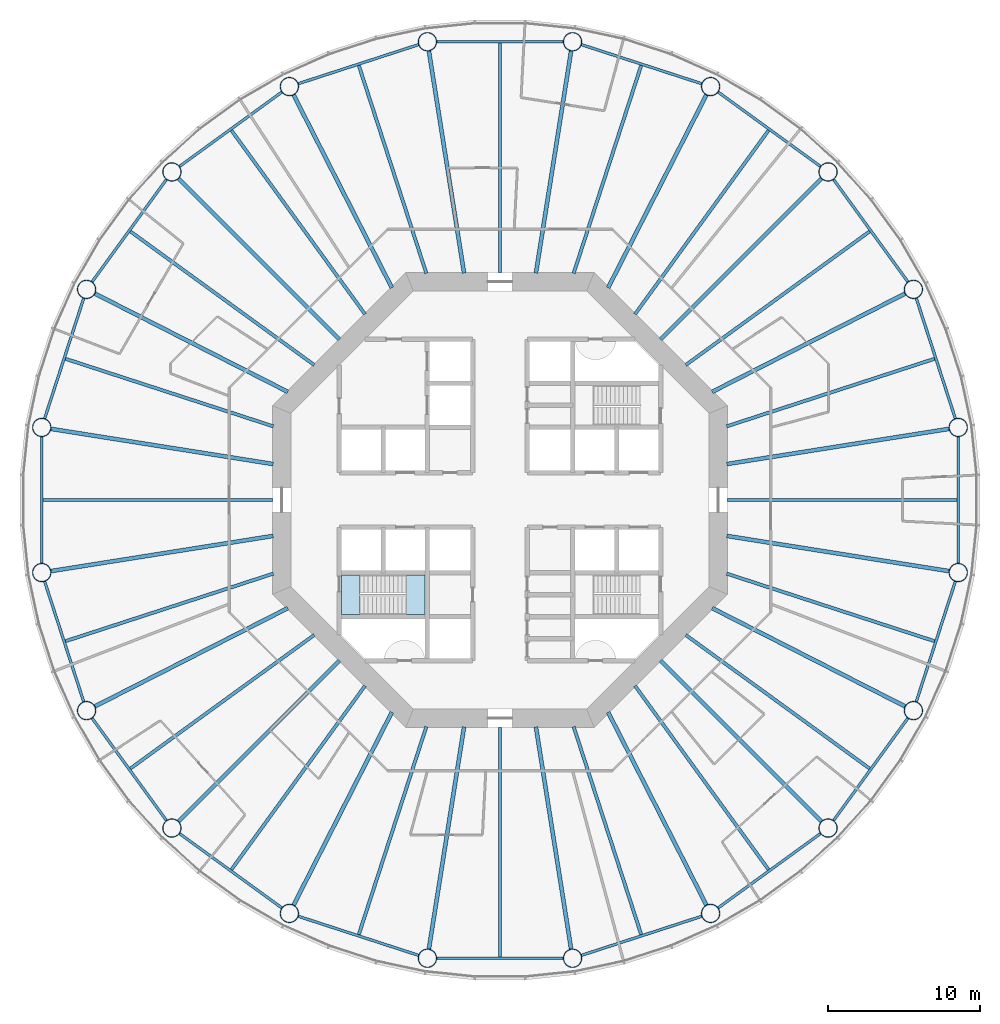
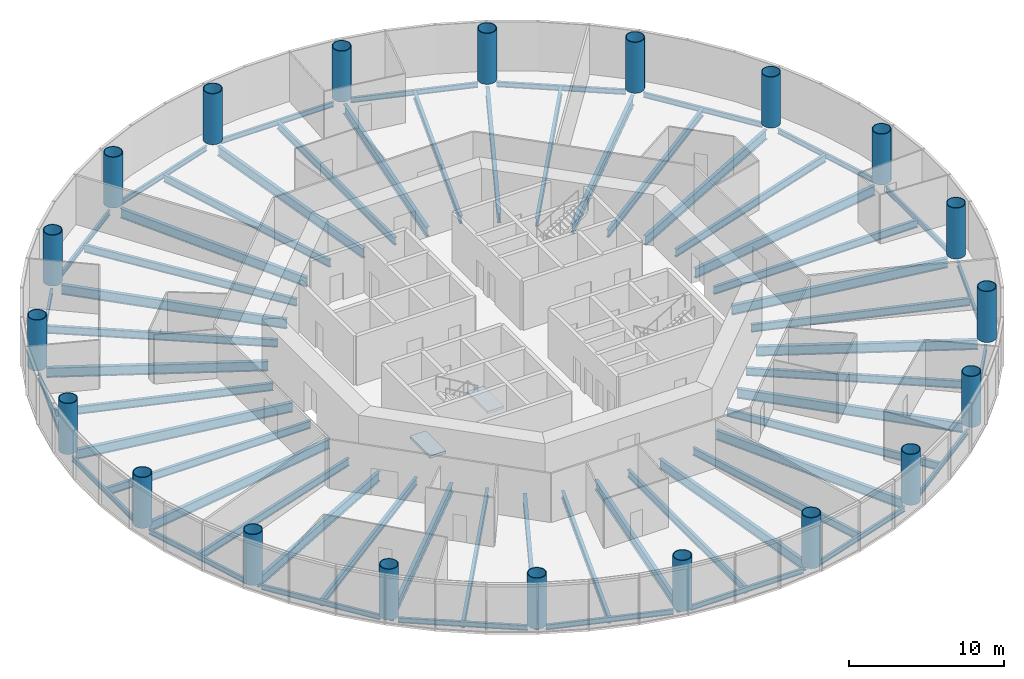
# One storey, part 1 of 13: 60 beams, 20 columns, 2 slabs, 1 element without a shape of its own.
"""IFC4 building model written with IfcOpenShell, lengths in metres."""

import ifcopenshell
import ifcopenshell.guid

model = None  # the IFC model being written
_history = None  # IfcOwnerHistory: only IFC2X3 demands one
_inside = {}  # id of a spatial element -> (the spatial element, [elements in it])
_under = {}  # id of a project, library or spatial element -> (it, [spatial elements below it])
_declared = {}  # id of a project -> (the project, [libraries it declares])
_typed = {}  # id of a type object -> (the type object, [elements of that type])
_made_of = {}  # id of a material, layer set ... -> (it, [elements and type objects made of it])


def new_model(schema):
    """Start an empty IFC model of exactly this schema.

    Asked for "IFC4X3", IfcOpenShell would pick the latest addendum, in which some entities
    have other attributes; the version numbers below select the first issue.
    IFC2X3 requires an IfcOwnerHistory on every rooted entity: one is made here for all.
    """
    global model, _history
    if schema == "IFC4X3":
        model = ifcopenshell.file(schema_version=(4, 3, 0, 0))
    else:
        model = ifcopenshell.file(schema=schema)
    _inside.clear()
    _under.clear()
    _declared.clear()
    _typed.clear()
    _made_of.clear()
    _history = None
    if model.schema == "IFC2X3":
        org = make("IfcOrganization", Name="unknown")
        user = make(
            "IfcPersonAndOrganization",
            ThePerson=make("IfcPerson", FamilyName="unknown"),
            TheOrganization=org,
        )
        app = make(
            "IfcApplication",
            ApplicationDeveloper=org,
            Version="unknown",
            ApplicationFullName="unknown",
            ApplicationIdentifier="unknown",
        )
        _history = make(
            "IfcOwnerHistory",
            OwningUser=user,
            OwningApplication=app,
            ChangeAction="ADDED",
            CreationDate=0,
        )
    return model


def make(cls, **values):
    """One entity of the class cls with the attributes given. An attribute that is None is left unset."""
    return model.create_entity(
        cls, **{name: value for name, value in values.items() if value is not None}
    )


def rooted(cls, **values):
    """An entity with a GlobalId (a new one), such as an element, a storey or a relation."""
    return make(cls, GlobalId=ifcopenshell.guid.new(), OwnerHistory=_history, **values)


def si_unit(unit_type, name, prefix=None):
    """IfcSIUnit, for example si_unit("LENGTHUNIT", "METRE", prefix="MILLI")."""
    return make("IfcSIUnit", UnitType=unit_type, Prefix=prefix, Name=name)


def assignment(units):
    """IfcUnitAssignment: the units of a project."""
    return None if units is None else make("IfcUnitAssignment", Units=units)


def point(xyz):
    """IfcCartesianPoint."""
    return None if xyz is None else make("IfcCartesianPoint", Coordinates=xyz)


def direction(xyz):
    """IfcDirection."""
    return None if xyz is None else make("IfcDirection", DirectionRatios=xyz)


def frame(location, z_axis=None, x_axis=None):
    """IfcAxis2Placement3D, a coordinate frame: its origin and axes. An axis left out is left unset."""
    return make(
        "IfcAxis2Placement3D",
        Location=point(location),
        Axis=direction(z_axis),
        RefDirection=direction(x_axis),
    )


def frame_2d(location, x_axis=None):
    """IfcAxis2Placement2D, a coordinate frame in the plane: its origin and x axis."""
    return make(
        "IfcAxis2Placement2D", Location=point(location), RefDirection=direction(x_axis)
    )


def origin():
    """The frame at (0, 0, 0) with its axes left unset."""
    return frame((0.0, 0.0, 0.0))


def origin_2d():
    """The frame at (0, 0) in the plane with its x axis left unset."""
    return frame_2d((0.0, 0.0))


def place(relative_to, where):
    """IfcLocalPlacement: puts the frame where relative to a parent placement (None: the world)."""
    return make(
        "IfcLocalPlacement", PlacementRelTo=relative_to, RelativePlacement=where
    )


def context(
    kind, dimensions, precision=None, world=None, true_north=None, identifier=None
):
    """IfcGeometricRepresentationContext, for example the 3D "Model" context."""
    return make(
        "IfcGeometricRepresentationContext",
        ContextIdentifier=identifier,
        ContextType=kind,
        CoordinateSpaceDimension=dimensions,
        Precision=precision,
        WorldCoordinateSystem=world,
        TrueNorth=true_north,
    )


def subcontext(parent, identifier, kind, view, scale=None):
    """IfcGeometricRepresentationSubContext, for example "Body" below "Model"."""
    return make(
        "IfcGeometricRepresentationSubContext",
        ContextIdentifier=identifier,
        ContextType=kind,
        ParentContext=parent,
        TargetScale=scale,
        TargetView=view,
    )


def project(units=None, contexts=None):
    """IfcProject with its units and contexts."""
    return rooted(
        "IfcProject",
        Name="project",
        RepresentationContexts=contexts,
        UnitsInContext=assignment(units),
    )


def spatial(cls, under=None, at=None, **own):
    """A site, building, storey or space (cls), placed at a placement, below another one or the project."""
    s = rooted(cls, ObjectPlacement=at, **own)
    if under is not None:
        _under.setdefault(under.id(), (under, []))[1].append(s)
    return s


def polyline(points):
    """IfcPolyline through the points."""
    return make("IfcPolyline", Points=[point(p) for p in points])


def profile(cls, at=None, kind="AREA", **sizes):
    """A parametric profile (cls). Its sizes go by their IFC names, for example OverallWidth=200.0."""
    return make(cls, ProfileType=kind, Position=at, **sizes)


def circle(**sizes):
    """IfcCircleProfileDef."""
    return profile("IfcCircleProfileDef", **sizes)


def hollow_circle(**sizes):
    """IfcCircleHollowProfileDef."""
    return profile("IfcCircleHollowProfileDef", **sizes)


def i_section(**sizes):
    """IfcIShapeProfileDef."""
    return profile("IfcIShapeProfileDef", **sizes)


def outline(outer, holes=None, kind="AREA"):
    """IfcArbitraryClosedProfileDef: a profile drawn as a closed curve; with holes, ...WithVoids."""
    if holes is None:
        return make("IfcArbitraryClosedProfileDef", ProfileType=kind, OuterCurve=outer)
    return make(
        "IfcArbitraryProfileDefWithVoids",
        ProfileType=kind,
        OuterCurve=outer,
        InnerCurves=holes,
    )


def extrude(swept, where, along, depth):
    """IfcExtrudedAreaSolid: the profile swept, set in the frame where, extruded along a direction by depth."""
    return make(
        "IfcExtrudedAreaSolid",
        SweptArea=swept,
        Position=where,
        ExtrudedDirection=direction(along),
        Depth=depth,
    )


def shape(context_of_items, identifier, shape_type, items):
    """IfcShapeRepresentation: the items that make up one representation, for example the "Body"."""
    return make(
        "IfcShapeRepresentation",
        ContextOfItems=context_of_items,
        RepresentationIdentifier=identifier,
        RepresentationType=shape_type,
        Items=items,
    )


def material(Name=None, Category=None):
    """IfcMaterial."""
    return make("IfcMaterial", Name=Name, Category=Category)


def layer(
    of_material, thickness, ventilated=None, Name=None, Category=None, Priority=None
):
    """IfcMaterialLayer: one layer of a wall or slab, of a material (None: an air gap)."""
    return make(
        "IfcMaterialLayer",
        Material=of_material,
        LayerThickness=thickness,
        IsVentilated=ventilated,
        Name=Name,
        Category=Category,
        Priority=Priority,
    )


def layer_set(layers, Name=None):
    """IfcMaterialLayerSet."""
    return make("IfcMaterialLayerSet", MaterialLayers=layers, LayerSetName=Name)


def material_profile(
    of_material, cross_section, Name=None, Category=None, Priority=None
):
    """IfcMaterialProfile: a cross section and its material."""
    return make(
        "IfcMaterialProfile",
        Name=Name,
        Material=of_material,
        Profile=cross_section,
        Priority=Priority,
        Category=Category,
    )


def profile_set(profiles, Name=None, composite=None):
    """IfcMaterialProfileSet."""
    return make(
        "IfcMaterialProfileSet",
        Name=Name,
        MaterialProfiles=profiles,
        CompositeProfile=composite,
    )


def made_of(thing, what):
    """Note that an element or type object is made of a material, layer set ...; save() writes the relation."""
    if what is not None:
        _made_of.setdefault(what.id(), (what, []))[1].append(thing)
    return thing


def type_object(cls, material=None, **own):
    """A type object (cls), such as IfcWallType, which elements share."""
    return made_of(rooted(cls, **own), material)


def element(
    cls,
    number,
    at=None,
    inside=None,
    cuts=None,
    type_object=None,
    material=None,
    context=None,
    identifier="Body",
    shape_type=None,
    held_by="IfcProductDefinitionShape",
    body=None,
    shapes=None,
    **own,
):
    """One element of the class cls, such as IfcWall. Its Tag is "e" and its number.

    at: its placement. inside: the storey or other place that contains it. cuts: it is an
    opening in that element (IfcRelVoidsElement). A single representation is given by context,
    identifier, shape_type and body (its items); several are given by shapes. held_by: the class
    of the entity that holds the representations. save() writes the other relations.
    """
    e = rooted(cls, Tag="e%d" % number, ObjectPlacement=at, **own)
    if body is not None:
        shapes = [shape(context, identifier, shape_type, body)]
    if shapes is not None:
        e.Representation = make(held_by, Representations=shapes)
    if inside is not None:
        _inside.setdefault(inside.id(), (inside, []))[1].append(e)
    if cuts is not None:
        rooted(
            "IfcRelVoidsElement", RelatingBuildingElement=cuts, RelatedOpeningElement=e
        )
    if type_object is not None:
        _typed.setdefault(type_object.id(), (type_object, []))[1].append(e)
    return made_of(e, material)


def aggregate(whole, parts):
    """IfcRelAggregates: a whole, such as a stair, and the parts it consists of."""
    return rooted("IfcRelAggregates", RelatingObject=whole, RelatedObjects=parts)


def save(model, path):
    """Write the relations noted so far, then the file.

    IfcRelAggregates (storeys below a building ...), IfcRelContainedInSpatialStructure (elements
    in a storey), IfcRelDefinesByType, IfcRelAssociatesMaterial and IfcRelDeclares: one each for
    every whole, place, type object, material and project.
    """
    for whole, parts in _under.values():
        aggregate(whole, parts)
    for where, things in _inside.values():
        rooted(
            "IfcRelContainedInSpatialStructure",
            RelatedElements=things,
            RelatingStructure=where,
        )
    for kind, things in _typed.values():
        rooted("IfcRelDefinesByType", RelatedObjects=things, RelatingType=kind)
    for what, things in _made_of.values():
        rooted("IfcRelAssociatesMaterial", RelatedObjects=things, RelatingMaterial=what)
    for by, libraries in _declared.values():
        rooted("IfcRelDeclares", RelatingContext=by, RelatedDefinitions=libraries)
    model.write(path)


model = new_model("IFC4")

# Units and contexts
model_context = context("Model", 3, precision=1e-05, world=origin(), true_north=direction((0.0, 1.0)))
body_context = subcontext(model_context, "Body", "Model", "MODEL_VIEW")
ifc_project = project(units=[si_unit("LENGTHUNIT", "METRE"), si_unit("AREAUNIT", "SQUARE_METRE"), si_unit("VOLUMEUNIT", "CUBIC_METRE"), si_unit("PLANEANGLEUNIT", "RADIAN"), si_unit("MASSUNIT", "GRAM", prefix="KILO")], contexts=[model_context])

# Site, building, storey
site_placement = place(None, origin())
site = spatial("IfcSite", under=ifc_project, at=site_placement, CompositionType="ELEMENT")
building_placement = place(site_placement, origin())
building = spatial("IfcBuilding", under=site, at=building_placement, Name="Entoto Ring Tower", CompositionType="ELEMENT")
storey_placement = place(building_placement, frame((0.0, 0.0, 120.0)))
storey = spatial("IfcBuildingStorey", under=building, at=storey_placement, Name="L27", CompositionType="ELEMENT", Elevation=120.0)

# Columns
ifc_material_1 = material(Name="Steel S355", Category="steel")
ifc_material_profile_1 = material_profile(ifc_material_1, hollow_circle(Radius=0.625, WallThickness=0.054931640625, at=origin_2d()), Name="CHS 1250 x 55")
ifc_material_2 = material(Name="Concrete C60/75", Category="concrete")
ifc_material_profile_2 = material_profile(ifc_material_2, circle(Radius=0.570068359375, at=origin_2d()), Name="Concrete C60/75 infill")
ifc_profile_set_1 = profile_set([ifc_material_profile_1, ifc_material_profile_2], Name="Steel S355")
column_type = type_object("IfcColumnType", Name="Ring column 1250 x 55 concrete-filled tube", PredefinedType="COLUMN", material=ifc_profile_set_1)
for number, where, z_axis, x_axis, name in (
    (1, (120.22314453125, 84.786865234375, 0.0), (0.0, 0.0, 1.0), (1.0, 0.0, 0.0), "RC2 R01"),
    (2, (117.264892578125, 93.89208984375, 0.0), (0.0, 0.0, 1.0), (1.0, 0.0, 0.0), "RC2 R02"),
    (3, (111.637451171875, 101.637451171875, 0.0), (0.0, 0.0, 1.0), (1.0, 0.0, 0.0), "RC2 R03"),
    (4, (103.89208984375, 107.264892578125, 0.0), (0.0, 0.0, 1.0), (1.0, 0.0, 0.0), "RC2 R04"),
    (5, (94.786865234375, 110.22314453125, 0.0), (0.0, 0.0, 1.0), (1.0, 0.0, 0.0), "RC2 R05"),
    (6, (85.213134765625, 110.22314453125, 0.0), (0.0, 0.0, 1.0), (1.0, 0.0, 0.0), "RC2 R06"),
    (7, (76.10791015625, 107.264892578125, 0.0), (0.0, 0.0, 1.0), (1.0, 0.0, 0.0), "RC2 R07"),
    (8, (68.362548828125, 101.637451171875, 0.0), (0.0, 0.0, 1.0), (1.0, 0.0, 0.0), "RC2 R08"),
    (9, (62.735107421875, 93.89208984375, 0.0), (0.0, 0.0, 1.0), (1.0, 0.0, 0.0), "RC2 R09"),
    (10, (59.77685546875, 84.786865234375, 0.0), (0.0, 0.0, 1.0), (1.0, 0.0, 0.0), "RC2 R10"),
    (11, (59.77685546875, 75.213134765625, 0.0), (0.0, 0.0, 1.0), (1.0, 0.0, 0.0), "RC2 R11"),
    (12, (62.735107421875, 66.10791015625, 0.0), (0.0, 0.0, 1.0), (1.0, 0.0, 0.0), "RC2 R12"),
    (13, (68.362548828125, 58.362548828125, 0.0), (0.0, 0.0, 1.0), (1.0, 0.0, 0.0), "RC2 R13"),
    (14, (76.10791015625, 52.735107421875, 0.0), (0.0, 0.0, 1.0), (1.0, 0.0, 0.0), "RC2 R14"),
    (15, (85.213134765625, 49.77685546875, 0.0), (0.0, 0.0, 1.0), (1.0, 0.0, 0.0), "RC2 R15"),
    (16, (94.786865234375, 49.77685546875, 0.0), (0.0, 0.0, 1.0), (1.0, 0.0, 0.0), "RC2 R16"),
    (17, (103.89208984375, 52.735107421875, 0.0), (0.0, 0.0, 1.0), (1.0, 0.0, 0.0), "RC2 R17"),
    (18, (111.637451171875, 58.362548828125, 0.0), (0.0, 0.0, 1.0), (1.0, 0.0, 0.0), "RC2 R18"),
    (19, (117.264892578125, 66.10791015625, 0.0), (0.0, 0.0, 1.0), (1.0, 0.0, 0.0), "RC2 R19"),
    (20, (120.22314453125, 75.213134765625, 0.0), (0.0, 0.0, 1.0), (1.0, 0.0, 0.0), "RC2 R20"),
):
    element("IfcColumn", number, at=place(storey_placement, frame(where, z_axis=z_axis, x_axis=x_axis)), inside=storey, type_object=column_type, Name=name, PredefinedType="COLUMN", context=body_context, shape_type="SweptSolid", body=[
        extrude(hollow_circle(Radius=0.625, WallThickness=0.054931640625, at=origin_2d()), origin(), (0.0, 0.0, 1.0), 4.0),
    ])

# Beams
ifc_material_3 = material(Name="Steel S355", Category="steel")
ifc_material_profile_3 = material_profile(ifc_material_3, i_section(OverallWidth=0.179931640625, OverallDepth=0.39990234375, WebThickness=0.008544921875, FlangeThickness=0.013427734375, FilletRadius=0.02099609375, at=origin_2d()), Name="IPE 400")
ifc_profile_set_2 = profile_set([ifc_material_profile_3], Name="Steel S355")
beam_type_1 = type_object("IfcBeamType", Name="Edge beam IPE 400", PredefinedType="SPANDREL", material=ifc_profile_set_2)
for number, where, z_axis, x_axis, name in (
    (21, (120.038330078125, 85.35595703125, -0.35009765625), (-0.309014241039, 0.951057410904, 0.0), (-0.951057410904, -0.309014241039, 0.0), "Edge beam L27 01"),
    (22, (116.9130859375, 94.376220703125, -0.35009765625), (-0.587783458554, 0.8090182976, 0.0), (-0.8090182976, -0.587783458554, 0.0), "Edge beam L27 02"),
    (23, (111.1533203125, 101.9892578125, -0.35009765625), (-0.8090182976, 0.587783458554, 0.0), (-0.587783458554, -0.8090182976, 0.0), "Edge beam L27 03"),
    (24, (103.322998046875, 107.44970703125, -0.35009765625), (-0.951057410904, 0.309014241039, 0.0), (-0.309014241039, -0.951057410904, 0.0), "Edge beam L27 04"),
    (25, (94.1884765625, 110.22314453125, -0.35009765625), (-1.0, 0.0, 0.0), (0.0, -1.0, 0.0), "Edge beam L27 05"),
    (26, (84.64404296875, 110.038330078125, -0.35009765625), (-0.951057410904, -0.309014241039, 0.0), (0.309014241039, -0.951057410904, 0.0), "Edge beam L27 06"),
    (27, (75.623779296875, 106.9130859375, -0.35009765625), (-0.8090182976, -0.587783458554, 0.0), (0.587783458554, -0.8090182976, 0.0), "Edge beam L27 07"),
    (28, (68.0107421875, 101.1533203125, -0.35009765625), (-0.587783458554, -0.8090182976, 0.0), (0.8090182976, -0.587783458554, 0.0), "Edge beam L27 08"),
    (29, (62.55029296875, 93.322998046875, -0.35009765625), (-0.309014241039, -0.951057410904, 0.0), (0.951057410904, -0.309014241039, 0.0), "Edge beam L27 09"),
    (30, (59.77685546875, 84.1884765625, -0.35009765625), (0.0, -1.0, 0.0), (1.0, 0.0, 0.0), "Edge beam L27 10"),
    (31, (59.961669921875, 74.64404296875, -0.35009765625), (0.309014241039, -0.951057410904, 0.0), (0.951057410904, 0.309014241039, 0.0), "Edge beam L27 11"),
    (32, (63.0869140625, 65.623779296875, -0.35009765625), (0.587783458554, -0.8090182976, 0.0), (0.8090182976, 0.587783458554, 0.0), "Edge beam L27 12"),
    (33, (68.8466796875, 58.0107421875, -0.35009765625), (0.8090182976, -0.587783458554, 0.0), (0.587783458554, 0.8090182976, 0.0), "Edge beam L27 13"),
    (34, (76.677001953125, 52.55029296875, -0.35009765625), (0.951057410904, -0.309014241039, 0.0), (0.309014241039, 0.951057410904, 0.0), "Edge beam L27 14"),
    (35, (85.8115234375, 49.77685546875, -0.35009765625), (1.0, 0.0, 0.0), (0.0, 1.0, 0.0), "Edge beam L27 15"),
    (36, (95.35595703125, 49.961669921875, -0.35009765625), (0.951057410904, 0.309014241039, 0.0), (-0.309014241039, 0.951057410904, 0.0), "Edge beam L27 16"),
    (37, (104.376220703125, 53.0869140625, -0.35009765625), (0.8090182976, 0.587783458554, 0.0), (-0.587783458554, 0.8090182976, 0.0), "Edge beam L27 17"),
    (38, (111.9892578125, 58.8466796875, -0.35009765625), (0.587783458554, 0.8090182976, 0.0), (-0.8090182976, 0.587783458554, 0.0), "Edge beam L27 18"),
    (39, (117.44970703125, 66.677001953125, -0.35009765625), (0.309014241039, 0.951057410904, 0.0), (-0.951057410904, 0.309014241039, 0.0), "Edge beam L27 19"),
    (40, (120.22314453125, 75.8115234375, -0.35009765625), (0.0, 1.0, 0.0), (-1.0, 0.0, 0.0), "Edge beam L27 20"),
):
    element("IfcBeam", number, at=place(storey_placement, frame(where, z_axis=z_axis, x_axis=x_axis)), inside=storey, type_object=beam_type_1, Name=name, PredefinedType="SPANDREL", context=body_context, shape_type="SweptSolid", body=[
        extrude(i_section(OverallWidth=0.179931640625, OverallDepth=0.39990234375, WebThickness=0.008544921875, FlangeThickness=0.013427734375, FilletRadius=0.02099609375, at=origin_2d()), origin(), (0.0, 0.0, 1.0), 8.376953125),
    ])
ifc_material_4 = material(Name="Steel S355", Category="steel")
ifc_material_profile_4 = material_profile(ifc_material_4, i_section(OverallWidth=0.262939453125, OverallDepth=0.7529296875, WebThickness=0.011474609375, FlangeThickness=0.01708984375, FilletRadius=0.01708984375, at=origin_2d()), Name="IPE 750 x 137")
ifc_profile_set_3 = profile_set([ifc_material_profile_4], Name="Steel S355")
beam_type_2 = type_object("IfcBeamType", Name="Primary floor beam IPE 750 x 137", PredefinedType="BEAM", material=ifc_profile_set_3)
beam_1_placement = place(storey_placement, frame((104.959716796875, 82.369384765625, -0.526611328125), z_axis=(0.98768960451, 0.156426484787, 0.0), x_axis=(-0.156426484787, 0.98768960451, 0.0)))
element("IfcBeam", 41, at=beam_1_placement, inside=storey, type_object=beam_type_2, Name="Primary L27 R01", PredefinedType="BEAM", context=body_context, shape_type="SweptSolid", body=[
    extrude(i_section(OverallWidth=0.262939453125, OverallDepth=0.7529296875, WebThickness=0.011474609375, FlangeThickness=0.01708984375, FilletRadius=0.01708984375, at=origin_2d()), origin(), (0.0, 0.0, 1.0), 14.86279296875),
])
beam_2_placement = place(storey_placement, frame((103.9970703125, 87.1318359375, -0.526611328125), z_axis=(0.891007312585, 0.453988952421, 0.0), x_axis=(-0.453988952421, 0.891007312585, 0.0)))
element("IfcBeam", 42, at=beam_2_placement, inside=storey, type_object=beam_type_2, Name="Primary L27 R02", PredefinedType="BEAM", context=body_context, shape_type="SweptSolid", body=[
    extrude(i_section(OverallWidth=0.262939453125, OverallDepth=0.7529296875, WebThickness=0.011474609375, FlangeThickness=0.01708984375, FilletRadius=0.01708984375, at=origin_2d()), origin(), (0.0, 0.0, 1.0), 14.2998046875),
])
beam_3_placement = place(storey_placement, frame((100.592529296875, 90.592529296875, -0.526611328125), z_axis=(0.707106781187, 0.707106781187, 0.0), x_axis=(-0.707106781187, 0.707106781187, 0.0)))
element("IfcBeam", 43, at=beam_3_placement, inside=storey, type_object=beam_type_2, Name="Primary L27 R03", PredefinedType="BEAM", context=body_context, shape_type="SweptSolid", body=[
    extrude(i_section(OverallWidth=0.262939453125, OverallDepth=0.7529296875, WebThickness=0.011474609375, FlangeThickness=0.01708984375, FilletRadius=0.01708984375, at=origin_2d()), origin(), (0.0, 0.0, 1.0), 15.029052734375),
])
beam_4_placement = place(storey_placement, frame((97.1318359375, 93.9970703125, -0.526611328125), z_axis=(0.453988952421, 0.891007312585, 0.0), x_axis=(-0.891007312585, 0.453988952421, 0.0)))
element("IfcBeam", 44, at=beam_4_placement, inside=storey, type_object=beam_type_2, Name="Primary L27 R04", PredefinedType="BEAM", context=body_context, shape_type="SweptSolid", body=[
    extrude(i_section(OverallWidth=0.262939453125, OverallDepth=0.7529296875, WebThickness=0.011474609375, FlangeThickness=0.01708984375, FilletRadius=0.01708984375, at=origin_2d()), origin(), (0.0, 0.0, 1.0), 14.2998046875),
])
for number, where, z_axis, x_axis, name in (
    (45, (92.369384765625, 94.959716796875, -0.526611328125), (0.156426484787, 0.98768960451, 0.0), (-0.98768960451, 0.156426484787, 0.0), "Primary L27 R05"),
    (46, (87.630615234375, 94.959716796875, -0.526611328125), (-0.156426484787, 0.98768960451, 0.0), (-0.98768960451, -0.156426484787, 0.0), "Primary L27 R06"),
):
    element("IfcBeam", number, at=place(storey_placement, frame(where, z_axis=z_axis, x_axis=x_axis)), inside=storey, type_object=beam_type_2, Name=name, PredefinedType="BEAM", context=body_context, shape_type="SweptSolid", body=[
        extrude(i_section(OverallWidth=0.262939453125, OverallDepth=0.7529296875, WebThickness=0.011474609375, FlangeThickness=0.01708984375, FilletRadius=0.01708984375, at=origin_2d()), origin(), (0.0, 0.0, 1.0), 14.86279296875),
    ])
beam_5_placement = place(storey_placement, frame((82.8681640625, 93.9970703125, -0.526611328125), z_axis=(-0.453988952421, 0.891007312585, 0.0), x_axis=(-0.891007312585, -0.453988952421, 0.0)))
element("IfcBeam", 47, at=beam_5_placement, inside=storey, type_object=beam_type_2, Name="Primary L27 R07", PredefinedType="BEAM", context=body_context, shape_type="SweptSolid", body=[
    extrude(i_section(OverallWidth=0.262939453125, OverallDepth=0.7529296875, WebThickness=0.011474609375, FlangeThickness=0.01708984375, FilletRadius=0.01708984375, at=origin_2d()), origin(), (0.0, 0.0, 1.0), 14.2998046875),
])
beam_6_placement = place(storey_placement, frame((79.407470703125, 90.592529296875, -0.526611328125), z_axis=(-0.707106781187, 0.707106781187, 0.0), x_axis=(-0.707106781187, -0.707106781187, 0.0)))
element("IfcBeam", 48, at=beam_6_placement, inside=storey, type_object=beam_type_2, Name="Primary L27 R08", PredefinedType="BEAM", context=body_context, shape_type="SweptSolid", body=[
    extrude(i_section(OverallWidth=0.262939453125, OverallDepth=0.7529296875, WebThickness=0.011474609375, FlangeThickness=0.01708984375, FilletRadius=0.01708984375, at=origin_2d()), origin(), (0.0, 0.0, 1.0), 15.029052734375),
])
beam_7_placement = place(storey_placement, frame((76.0029296875, 87.1318359375, -0.526611328125), z_axis=(-0.891007312585, 0.453988952421, 0.0), x_axis=(-0.453988952421, -0.891007312585, 0.0)))
element("IfcBeam", 49, at=beam_7_placement, inside=storey, type_object=beam_type_2, Name="Primary L27 R09", PredefinedType="BEAM", context=body_context, shape_type="SweptSolid", body=[
    extrude(i_section(OverallWidth=0.262939453125, OverallDepth=0.7529296875, WebThickness=0.011474609375, FlangeThickness=0.01708984375, FilletRadius=0.01708984375, at=origin_2d()), origin(), (0.0, 0.0, 1.0), 14.2998046875),
])
for number, where, z_axis, x_axis, name in (
    (50, (75.040283203125, 82.369384765625, -0.526611328125), (-0.98768960451, 0.156426484787, 0.0), (-0.156426484787, -0.98768960451, 0.0), "Primary L27 R10"),
    (51, (75.040283203125, 77.630615234375, -0.526611328125), (-0.98768960451, -0.156426484787, 0.0), (0.156426484787, -0.98768960451, 0.0), "Primary L27 R11"),
):
    element("IfcBeam", number, at=place(storey_placement, frame(where, z_axis=z_axis, x_axis=x_axis)), inside=storey, type_object=beam_type_2, Name=name, PredefinedType="BEAM", context=body_context, shape_type="SweptSolid", body=[
        extrude(i_section(OverallWidth=0.262939453125, OverallDepth=0.7529296875, WebThickness=0.011474609375, FlangeThickness=0.01708984375, FilletRadius=0.01708984375, at=origin_2d()), origin(), (0.0, 0.0, 1.0), 14.86279296875),
    ])
beam_8_placement = place(storey_placement, frame((76.0029296875, 72.8681640625, -0.526611328125), z_axis=(-0.891007312585, -0.453988952421, 0.0), x_axis=(0.453988952421, -0.891007312585, 0.0)))
element("IfcBeam", 52, at=beam_8_placement, inside=storey, type_object=beam_type_2, Name="Primary L27 R12", PredefinedType="BEAM", context=body_context, shape_type="SweptSolid", body=[
    extrude(i_section(OverallWidth=0.262939453125, OverallDepth=0.7529296875, WebThickness=0.011474609375, FlangeThickness=0.01708984375, FilletRadius=0.01708984375, at=origin_2d()), origin(), (0.0, 0.0, 1.0), 14.2998046875),
])
beam_9_placement = place(storey_placement, frame((79.407470703125, 69.407470703125, -0.526611328125), z_axis=(-0.707106781187, -0.707106781187, 0.0), x_axis=(0.707106781187, -0.707106781187, 0.0)))
element("IfcBeam", 53, at=beam_9_placement, inside=storey, type_object=beam_type_2, Name="Primary L27 R13", PredefinedType="BEAM", context=body_context, shape_type="SweptSolid", body=[
    extrude(i_section(OverallWidth=0.262939453125, OverallDepth=0.7529296875, WebThickness=0.011474609375, FlangeThickness=0.01708984375, FilletRadius=0.01708984375, at=origin_2d()), origin(), (0.0, 0.0, 1.0), 15.029052734375),
])
beam_10_placement = place(storey_placement, frame((82.8681640625, 66.0029296875, -0.526611328125), z_axis=(-0.453988952421, -0.891007312585, 0.0), x_axis=(0.891007312585, -0.453988952421, 0.0)))
element("IfcBeam", 54, at=beam_10_placement, inside=storey, type_object=beam_type_2, Name="Primary L27 R14", PredefinedType="BEAM", context=body_context, shape_type="SweptSolid", body=[
    extrude(i_section(OverallWidth=0.262939453125, OverallDepth=0.7529296875, WebThickness=0.011474609375, FlangeThickness=0.01708984375, FilletRadius=0.01708984375, at=origin_2d()), origin(), (0.0, 0.0, 1.0), 14.2998046875),
])
for number, where, z_axis, x_axis, name in (
    (55, (87.630615234375, 65.040283203125, -0.526611328125), (-0.156426484787, -0.98768960451, 0.0), (0.98768960451, -0.156426484787, 0.0), "Primary L27 R15"),
    (56, (92.369384765625, 65.040283203125, -0.526611328125), (0.156426484787, -0.98768960451, 0.0), (0.98768960451, 0.156426484787, 0.0), "Primary L27 R16"),
):
    element("IfcBeam", number, at=place(storey_placement, frame(where, z_axis=z_axis, x_axis=x_axis)), inside=storey, type_object=beam_type_2, Name=name, PredefinedType="BEAM", context=body_context, shape_type="SweptSolid", body=[
        extrude(i_section(OverallWidth=0.262939453125, OverallDepth=0.7529296875, WebThickness=0.011474609375, FlangeThickness=0.01708984375, FilletRadius=0.01708984375, at=origin_2d()), origin(), (0.0, 0.0, 1.0), 14.86279296875),
    ])
beam_11_placement = place(storey_placement, frame((97.1318359375, 66.0029296875, -0.526611328125), z_axis=(0.453988952421, -0.891007312585, 0.0), x_axis=(0.891007312585, 0.453988952421, 0.0)))
element("IfcBeam", 57, at=beam_11_placement, inside=storey, type_object=beam_type_2, Name="Primary L27 R17", PredefinedType="BEAM", context=body_context, shape_type="SweptSolid", body=[
    extrude(i_section(OverallWidth=0.262939453125, OverallDepth=0.7529296875, WebThickness=0.011474609375, FlangeThickness=0.01708984375, FilletRadius=0.01708984375, at=origin_2d()), origin(), (0.0, 0.0, 1.0), 14.2998046875),
])
beam_12_placement = place(storey_placement, frame((100.592529296875, 69.407470703125, -0.526611328125), z_axis=(0.707106781187, -0.707106781187, 0.0), x_axis=(0.707106781187, 0.707106781187, 0.0)))
element("IfcBeam", 58, at=beam_12_placement, inside=storey, type_object=beam_type_2, Name="Primary L27 R18", PredefinedType="BEAM", context=body_context, shape_type="SweptSolid", body=[
    extrude(i_section(OverallWidth=0.262939453125, OverallDepth=0.7529296875, WebThickness=0.011474609375, FlangeThickness=0.01708984375, FilletRadius=0.01708984375, at=origin_2d()), origin(), (0.0, 0.0, 1.0), 15.029052734375),
])
beam_13_placement = place(storey_placement, frame((103.9970703125, 72.8681640625, -0.526611328125), z_axis=(0.891007312585, -0.453988952421, 0.0), x_axis=(0.453988952421, 0.891007312585, 0.0)))
element("IfcBeam", 59, at=beam_13_placement, inside=storey, type_object=beam_type_2, Name="Primary L27 R19", PredefinedType="BEAM", context=body_context, shape_type="SweptSolid", body=[
    extrude(i_section(OverallWidth=0.262939453125, OverallDepth=0.7529296875, WebThickness=0.011474609375, FlangeThickness=0.01708984375, FilletRadius=0.01708984375, at=origin_2d()), origin(), (0.0, 0.0, 1.0), 14.2998046875),
])
beam_14_placement = place(storey_placement, frame((104.959716796875, 77.630615234375, -0.526611328125), z_axis=(0.98768960451, -0.156426484787, 0.0), x_axis=(0.156426484787, 0.98768960451, 0.0)))
element("IfcBeam", 60, at=beam_14_placement, inside=storey, type_object=beam_type_2, Name="Primary L27 R20", PredefinedType="BEAM", context=body_context, shape_type="SweptSolid", body=[
    extrude(i_section(OverallWidth=0.262939453125, OverallDepth=0.7529296875, WebThickness=0.011474609375, FlangeThickness=0.01708984375, FilletRadius=0.01708984375, at=origin_2d()), origin(), (0.0, 0.0, 1.0), 14.86279296875),
])
ifc_material_5 = material(Name="Steel S355", Category="steel")
ifc_material_profile_5 = material_profile(ifc_material_5, i_section(OverallWidth=0.219970703125, OverallDepth=0.60009765625, WebThickness=0.011962890625, FlangeThickness=0.01904296875, FilletRadius=0.02392578125, at=origin_2d()), Name="IPE 600")
ifc_profile_set_4 = profile_set([ifc_material_profile_5], Name="Steel S355")
beam_type_3 = type_object("IfcBeamType", Name="Secondary floor beam IPE 600", PredefinedType="JOIST", material=ifc_profile_set_4)
beam_15_placement = place(storey_placement, frame((104.947021484375, 84.856689453125, -0.449951171875), z_axis=(0.951057212949, 0.309014850288, 0.0), x_axis=(-0.309014850288, 0.951057212949, 0.0)))
element("IfcBeam", 61, at=beam_15_placement, inside=storey, type_object=beam_type_3, Name="Secondary beam L27 01", PredefinedType="JOIST", context=body_context, shape_type="SweptSolid", body=[
    extrude(i_section(OverallWidth=0.219970703125, OverallDepth=0.60009765625, WebThickness=0.011962890625, FlangeThickness=0.01904296875, FilletRadius=0.02392578125, at=origin_2d()), origin(), (0.0, 0.0, 1.0), 14.4169921875),
])
for number, where, z_axis, x_axis, name in (
    (62, (102.25634765625, 88.90478515625, -0.449951171875), (0.809019238239, 0.587782163866, 0.0), (-0.587782163866, 0.809019238239, 0.0), "Secondary beam L27 02"),
    (63, (98.90478515625, 92.25634765625, -0.449951171875), (0.587782163866, 0.809019238239, 0.0), (-0.809019238239, 0.587782163866, 0.0), "Secondary beam L27 03"),
):
    element("IfcBeam", number, at=place(storey_placement, frame(where, z_axis=z_axis, x_axis=x_axis)), inside=storey, type_object=beam_type_3, Name=name, PredefinedType="JOIST", context=body_context, shape_type="SweptSolid", body=[
        extrude(i_section(OverallWidth=0.219970703125, OverallDepth=0.60009765625, WebThickness=0.011962890625, FlangeThickness=0.01904296875, FilletRadius=0.02392578125, at=origin_2d()), origin(), (0.0, 0.0, 1.0), 14.983642578125),
    ])
beam_16_placement = place(storey_placement, frame((94.856689453125, 94.947021484375, -0.449951171875), z_axis=(0.309014850288, 0.951057212949, 0.0), x_axis=(-0.951057212949, 0.309014850288, 0.0)))
element("IfcBeam", 64, at=beam_16_placement, inside=storey, type_object=beam_type_3, Name="Secondary beam L27 04", PredefinedType="JOIST", context=body_context, shape_type="SweptSolid", body=[
    extrude(i_section(OverallWidth=0.219970703125, OverallDepth=0.60009765625, WebThickness=0.011962890625, FlangeThickness=0.01904296875, FilletRadius=0.02392578125, at=origin_2d()), origin(), (0.0, 0.0, 1.0), 14.4169921875),
])
beam_17_placement = place(storey_placement, frame((90.0, 94.97998046875, -0.449951171875), z_axis=(0.0, 1.0, 0.0), x_axis=(-1.0, 0.0, 0.0)))
element("IfcBeam", 65, at=beam_17_placement, inside=storey, type_object=beam_type_3, Name="Secondary beam L27 05", PredefinedType="JOIST", context=body_context, shape_type="SweptSolid", body=[
    extrude(i_section(OverallWidth=0.219970703125, OverallDepth=0.60009765625, WebThickness=0.011962890625, FlangeThickness=0.01904296875, FilletRadius=0.02392578125, at=origin_2d()), origin(), (0.0, 0.0, 1.0), 15.1533203125),
])
beam_18_placement = place(storey_placement, frame((85.143310546875, 94.947021484375, -0.449951171875), z_axis=(-0.309014850288, 0.951057212949, 0.0), x_axis=(-0.951057212949, -0.309014850288, 0.0)))
element("IfcBeam", 66, at=beam_18_placement, inside=storey, type_object=beam_type_3, Name="Secondary beam L27 06", PredefinedType="JOIST", context=body_context, shape_type="SweptSolid", body=[
    extrude(i_section(OverallWidth=0.219970703125, OverallDepth=0.60009765625, WebThickness=0.011962890625, FlangeThickness=0.01904296875, FilletRadius=0.02392578125, at=origin_2d()), origin(), (0.0, 0.0, 1.0), 14.4169921875),
])
for number, where, z_axis, x_axis, name in (
    (67, (81.09521484375, 92.25634765625, -0.449951171875), (-0.587782163866, 0.809019238239, 0.0), (-0.809019238239, -0.587782163866, 0.0), "Secondary beam L27 07"),
    (68, (77.74365234375, 88.90478515625, -0.449951171875), (-0.809019238239, 0.587782163866, 0.0), (-0.587782163866, -0.809019238239, 0.0), "Secondary beam L27 08"),
):
    element("IfcBeam", number, at=place(storey_placement, frame(where, z_axis=z_axis, x_axis=x_axis)), inside=storey, type_object=beam_type_3, Name=name, PredefinedType="JOIST", context=body_context, shape_type="SweptSolid", body=[
        extrude(i_section(OverallWidth=0.219970703125, OverallDepth=0.60009765625, WebThickness=0.011962890625, FlangeThickness=0.01904296875, FilletRadius=0.02392578125, at=origin_2d()), origin(), (0.0, 0.0, 1.0), 14.983642578125),
    ])
beam_19_placement = place(storey_placement, frame((75.052978515625, 84.856689453125, -0.449951171875), z_axis=(-0.951057212949, 0.309014850288, 0.0), x_axis=(-0.309014850288, -0.951057212949, 0.0)))
element("IfcBeam", 69, at=beam_19_placement, inside=storey, type_object=beam_type_3, Name="Secondary beam L27 09", PredefinedType="JOIST", context=body_context, shape_type="SweptSolid", body=[
    extrude(i_section(OverallWidth=0.219970703125, OverallDepth=0.60009765625, WebThickness=0.011962890625, FlangeThickness=0.01904296875, FilletRadius=0.02392578125, at=origin_2d()), origin(), (0.0, 0.0, 1.0), 14.4169921875),
])
beam_20_placement = place(storey_placement, frame((75.02001953125, 80.0, -0.449951171875), z_axis=(-1.0, 0.0, 0.0), x_axis=(0.0, -1.0, 0.0)))
element("IfcBeam", 70, at=beam_20_placement, inside=storey, type_object=beam_type_3, Name="Secondary beam L27 10", PredefinedType="JOIST", context=body_context, shape_type="SweptSolid", body=[
    extrude(i_section(OverallWidth=0.219970703125, OverallDepth=0.60009765625, WebThickness=0.011962890625, FlangeThickness=0.01904296875, FilletRadius=0.02392578125, at=origin_2d()), origin(), (0.0, 0.0, 1.0), 15.1533203125),
])
beam_21_placement = place(storey_placement, frame((75.052978515625, 75.143310546875, -0.449951171875), z_axis=(-0.951057212949, -0.309014850288, 0.0), x_axis=(0.309014850288, -0.951057212949, 0.0)))
element("IfcBeam", 71, at=beam_21_placement, inside=storey, type_object=beam_type_3, Name="Secondary beam L27 11", PredefinedType="JOIST", context=body_context, shape_type="SweptSolid", body=[
    extrude(i_section(OverallWidth=0.219970703125, OverallDepth=0.60009765625, WebThickness=0.011962890625, FlangeThickness=0.01904296875, FilletRadius=0.02392578125, at=origin_2d()), origin(), (0.0, 0.0, 1.0), 14.4169921875),
])
for number, where, z_axis, x_axis, name in (
    (72, (77.74365234375, 71.09521484375, -0.449951171875), (-0.809019238239, -0.587782163866, 0.0), (0.587782163866, -0.809019238239, 0.0), "Secondary beam L27 12"),
    (73, (81.09521484375, 67.74365234375, -0.449951171875), (-0.587782163866, -0.809019238239, 0.0), (0.809019238239, -0.587782163866, 0.0), "Secondary beam L27 13"),
):
    element("IfcBeam", number, at=place(storey_placement, frame(where, z_axis=z_axis, x_axis=x_axis)), inside=storey, type_object=beam_type_3, Name=name, PredefinedType="JOIST", context=body_context, shape_type="SweptSolid", body=[
        extrude(i_section(OverallWidth=0.219970703125, OverallDepth=0.60009765625, WebThickness=0.011962890625, FlangeThickness=0.01904296875, FilletRadius=0.02392578125, at=origin_2d()), origin(), (0.0, 0.0, 1.0), 14.983642578125),
    ])
beam_22_placement = place(storey_placement, frame((85.143310546875, 65.052978515625, -0.449951171875), z_axis=(-0.309014850288, -0.951057212949, 0.0), x_axis=(0.951057212949, -0.309014850288, 0.0)))
element("IfcBeam", 74, at=beam_22_placement, inside=storey, type_object=beam_type_3, Name="Secondary beam L27 14", PredefinedType="JOIST", context=body_context, shape_type="SweptSolid", body=[
    extrude(i_section(OverallWidth=0.219970703125, OverallDepth=0.60009765625, WebThickness=0.011962890625, FlangeThickness=0.01904296875, FilletRadius=0.02392578125, at=origin_2d()), origin(), (0.0, 0.0, 1.0), 14.4169921875),
])
beam_23_placement = place(storey_placement, frame((90.0, 65.02001953125, -0.449951171875), z_axis=(0.0, -1.0, 0.0), x_axis=(1.0, 0.0, 0.0)))
element("IfcBeam", 75, at=beam_23_placement, inside=storey, type_object=beam_type_3, Name="Secondary beam L27 15", PredefinedType="JOIST", context=body_context, shape_type="SweptSolid", body=[
    extrude(i_section(OverallWidth=0.219970703125, OverallDepth=0.60009765625, WebThickness=0.011962890625, FlangeThickness=0.01904296875, FilletRadius=0.02392578125, at=origin_2d()), origin(), (0.0, 0.0, 1.0), 15.1533203125),
])
beam_24_placement = place(storey_placement, frame((94.856689453125, 65.052978515625, -0.449951171875), z_axis=(0.309014850288, -0.951057212949, 0.0), x_axis=(0.951057212949, 0.309014850288, 0.0)))
element("IfcBeam", 76, at=beam_24_placement, inside=storey, type_object=beam_type_3, Name="Secondary beam L27 16", PredefinedType="JOIST", context=body_context, shape_type="SweptSolid", body=[
    extrude(i_section(OverallWidth=0.219970703125, OverallDepth=0.60009765625, WebThickness=0.011962890625, FlangeThickness=0.01904296875, FilletRadius=0.02392578125, at=origin_2d()), origin(), (0.0, 0.0, 1.0), 14.4169921875),
])
for number, where, z_axis, x_axis, name in (
    (77, (98.90478515625, 67.74365234375, -0.449951171875), (0.587782163866, -0.809019238239, 0.0), (0.809019238239, 0.587782163866, 0.0), "Secondary beam L27 17"),
    (78, (102.25634765625, 71.09521484375, -0.449951171875), (0.809019238239, -0.587782163866, 0.0), (0.587782163866, 0.809019238239, 0.0), "Secondary beam L27 18"),
):
    element("IfcBeam", number, at=place(storey_placement, frame(where, z_axis=z_axis, x_axis=x_axis)), inside=storey, type_object=beam_type_3, Name=name, PredefinedType="JOIST", context=body_context, shape_type="SweptSolid", body=[
        extrude(i_section(OverallWidth=0.219970703125, OverallDepth=0.60009765625, WebThickness=0.011962890625, FlangeThickness=0.01904296875, FilletRadius=0.02392578125, at=origin_2d()), origin(), (0.0, 0.0, 1.0), 14.983642578125),
    ])
beam_25_placement = place(storey_placement, frame((104.947021484375, 75.143310546875, -0.449951171875), z_axis=(0.951057212949, -0.309014850288, 0.0), x_axis=(0.309014850288, 0.951057212949, 0.0)))
element("IfcBeam", 79, at=beam_25_placement, inside=storey, type_object=beam_type_3, Name="Secondary beam L27 19", PredefinedType="JOIST", context=body_context, shape_type="SweptSolid", body=[
    extrude(i_section(OverallWidth=0.219970703125, OverallDepth=0.60009765625, WebThickness=0.011962890625, FlangeThickness=0.01904296875, FilletRadius=0.02392578125, at=origin_2d()), origin(), (0.0, 0.0, 1.0), 14.4169921875),
])
beam_26_placement = place(storey_placement, frame((104.97998046875, 80.0, -0.449951171875), z_axis=(1.0, 0.0, 0.0), x_axis=(0.0, 1.0, 0.0)))
element("IfcBeam", 80, at=beam_26_placement, inside=storey, type_object=beam_type_3, Name="Secondary beam L27 20", PredefinedType="JOIST", context=body_context, shape_type="SweptSolid", body=[
    extrude(i_section(OverallWidth=0.219970703125, OverallDepth=0.60009765625, WebThickness=0.011962890625, FlangeThickness=0.01904296875, FilletRadius=0.02392578125, at=origin_2d()), origin(), (0.0, 0.0, 1.0), 15.1533203125),
])

# Stair, slabs
ifc_material_6 = material(Name="Concrete C40/50", Category="concrete")
stair_type = type_object("IfcStairType", Name="Exit stair 1200 mm dog-leg reinforced concrete", PredefinedType="HALF_TURN_STAIR", material=ifc_material_6)
stair_placement = place(storey_placement, origin())
stair = element("IfcStair", 81, at=stair_placement, inside=storey, type_object=stair_type, Name="Exit stair 2", PredefinedType="HALF_TURN_STAIR")
ifc_material_7 = material(Name="Concrete C40/50", Category="concrete")
ifc_layer = layer(ifc_material_7, 0.199951171875)
ifc_layer_set = layer_set([ifc_layer], Name="Concrete C40/50")
slab_type = type_object("IfcSlabType", Name="Stair landing 200 mm reinforced concrete", PredefinedType="LANDING", material=ifc_layer_set)
slab_1_placement = place(storey_placement, frame((0.0, 0.0, -0.199951171875)))
slab_1 = element("IfcSlab", 82, at=slab_1_placement, type_object=slab_type, Name="ST2 landing 1", PredefinedType="LANDING", context=body_context, shape_type="SweptSolid", body=[
    extrude(outline(polyline([(80.75, 72.449951171875), (80.75, 75.050048828125), (79.550048828125, 75.050048828125), (79.550048828125, 72.449951171875), (80.75, 72.449951171875)])), origin(), (0.0, 0.0, 1.0), 0.199951171875),
])
slab_2_placement = place(storey_placement, frame((0.0, 0.0, 1.800048828125)))
slab_2 = element("IfcSlab", 83, at=slab_2_placement, type_object=slab_type, Name="ST2 landing 2", PredefinedType="LANDING", context=body_context, shape_type="SweptSolid", body=[
    extrude(outline(polyline([(83.830078125, 72.449951171875), (85.050048828125, 72.449951171875), (85.050048828125, 75.050048828125), (83.830078125, 75.050048828125), (83.830078125, 72.449951171875)])), origin(), (0.0, 0.0, 1.0), 0.199951171875),
])
aggregate(stair, [slab_1, slab_2])

save(model, "model.ifc")
